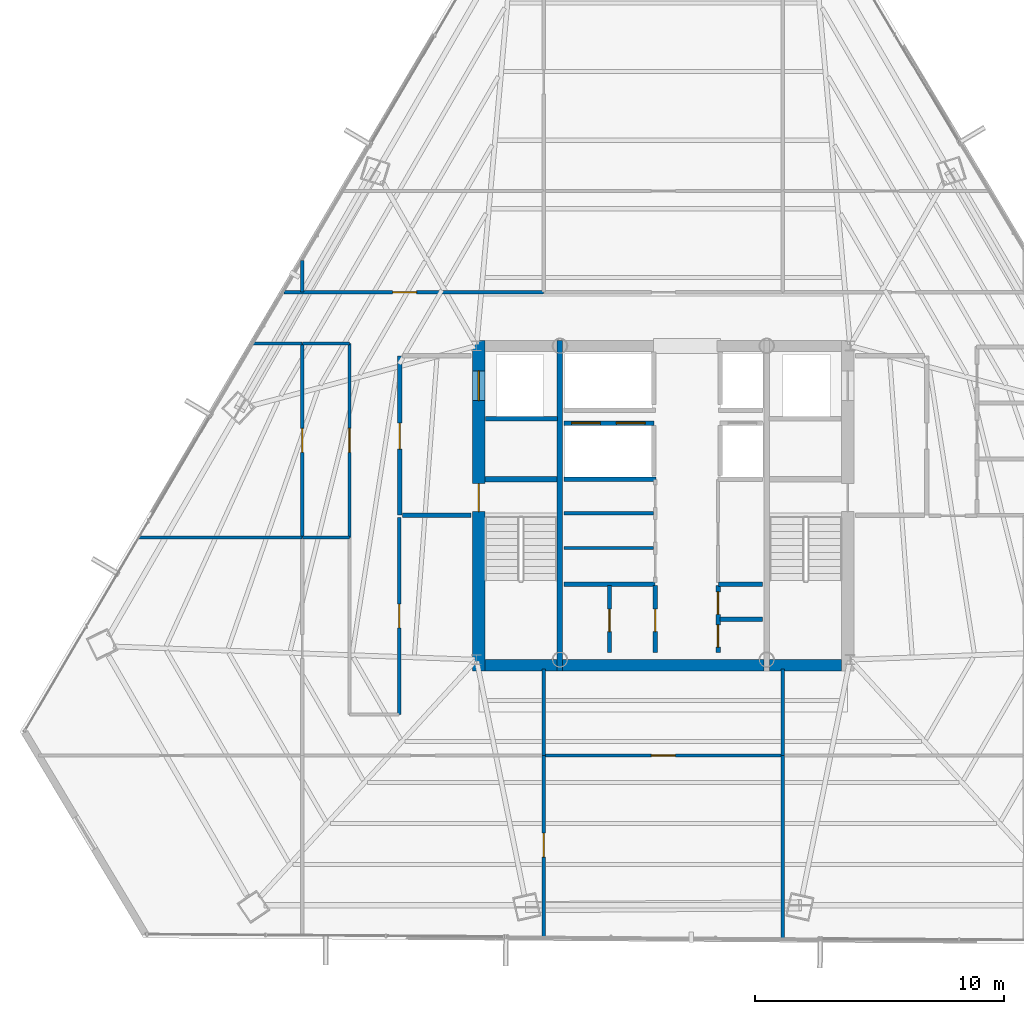
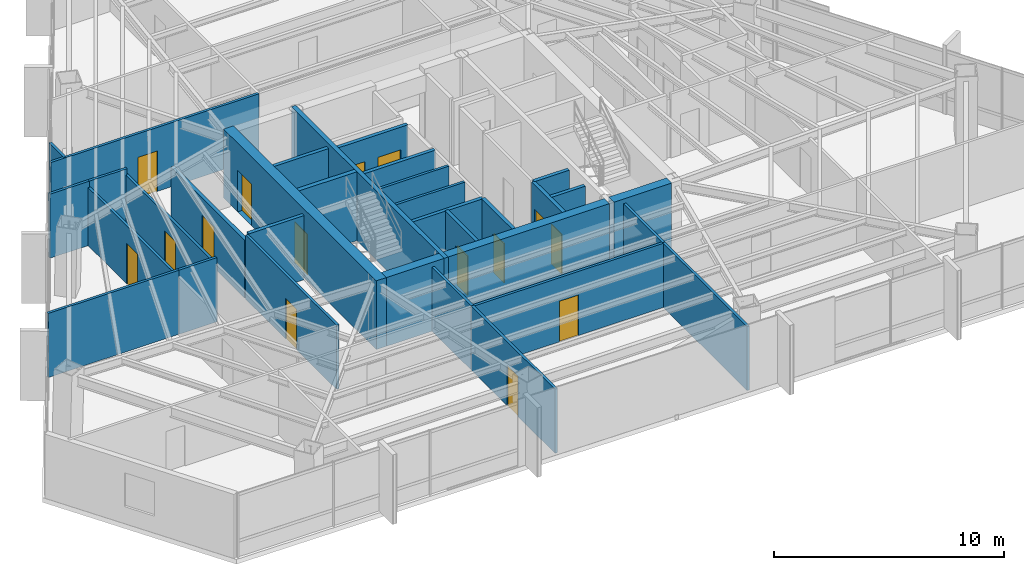
# One storey, part 36 of 41: 33 walls, 15 doors, 15 openings.
"""IFC4 building model written with IfcOpenShell, lengths in metres."""

from ifc_helpers import new_model, si_unit, direction, frame, frame_2d, origin, place, context, subcontext, project, spatial, rectangle, extrude, material, layer, layer_set, type_object, element, fill, save


model = new_model("IFC4")

# Units and contexts
model_context = context("Model", 3, precision=1e-05, world=origin(), true_north=direction((0.0, 1.0)))
body_context = subcontext(model_context, "Body", "Model", "MODEL_VIEW")
ifc_project = project(units=[si_unit("LENGTHUNIT", "METRE"), si_unit("AREAUNIT", "SQUARE_METRE"), si_unit("VOLUMEUNIT", "CUBIC_METRE"), si_unit("PLANEANGLEUNIT", "RADIAN"), si_unit("MASSUNIT", "GRAM", prefix="KILO")], contexts=[model_context])

# Site, building, storey
site_placement = place(None, origin())
site = spatial("IfcSite", under=ifc_project, at=site_placement, CompositionType="ELEMENT")
building_placement = place(site_placement, origin())
building = spatial("IfcBuilding", under=site, at=building_placement, Name="Caelisora Broadcast Tower", CompositionType="ELEMENT")
storey_placement = place(building_placement, frame((0.0, 0.0, 162.14990234375)))
storey = spatial("IfcBuildingStorey", under=building, at=storey_placement, Name="L42", CompositionType="ELEMENT", Elevation=162.14990234375)

# Wall, openings, doors
ifc_material_1 = material(Name="Concrete 50 MPa (AS 3600 S50)", Category="concrete")
ifc_layer_1 = layer(ifc_material_1, 0.5, Name="Concrete 50 MPa (AS 3600 S50)")
ifc_layer_set_1 = layer_set([ifc_layer_1], Name="Concrete 50 MPa (AS 3600 S50)")
wall_type_1 = type_object("IfcWallType", Name="CW2", PredefinedType="SHEAR", material=ifc_layer_set_1)
wall_1_placement = place(storey_placement, frame((30.590087890625, 16.949951171875, 0.0), z_axis=(0.0, 0.0, 1.0), x_axis=(0.0, 1.0, 0.0)))
wall_1 = element("IfcWall", 1, at=wall_1_placement, inside=storey, type_object=wall_type_1, Name="L42 core shear wall CW2", PredefinedType="SHEAR", context=body_context, shape_type="SweptSolid", body=[
    extrude(rectangle(XDim=13.275146484375, YDim=0.5, at=frame_2d((6.6376953125, 0.0))), origin(), (0.0, 0.0, 1.0), 3.650146484375),
])
opening_1_placement = place(wall_1_placement, frame((6.39990234375, 0.0, 0.0)))
opening_1 = element("IfcOpeningElement", 2, at=opening_1_placement, cuts=wall_1, Name="Opening FD04", PredefinedType="OPENING", context=body_context, shape_type="SweptSolid", body=[
    extrude(rectangle(XDim=1.1201171875, YDim=2.14990234375, at=frame_2d((0.56005859375, 1.074951171875))), frame((0.0, 0.261962890625, 0.0), z_axis=(0.0, -1.0, 0.0), x_axis=(1.0, 0.0, 0.0)), (0.0, 0.0, 1.0), 0.52392578125),
])
opening_2_placement = place(wall_1_placement, frame((10.85009765625, 0.0, 0.0)))
opening_2 = element("IfcOpeningElement", 3, at=opening_2_placement, cuts=wall_1, Name="Opening LD04", PredefinedType="OPENING", context=body_context, shape_type="SweptSolid", body=[
    extrude(rectangle(XDim=1.199951171875, YDim=2.199951171875, at=frame_2d((0.60009765625, 1.10009765625))), frame((0.0, 0.261962890625, 0.0), z_axis=(0.0, -1.0, 0.0), x_axis=(1.0, 0.0, 0.0)), (0.0, 0.0, 1.0), 0.52392578125),
])
ifc_material_2 = material(Name="Pressurised Fire-Isolated Stair Door", Category="steel")
door_type_1 = type_object("IfcDoorType", Name="FD04", OperationType="NOTDEFINED", PredefinedType="DOOR", material=ifc_material_2)
door_1_placement = place(opening_1_placement, origin())
door_1 = element("IfcDoor", 4, at=door_1_placement, inside=storey, type_object=door_type_1, Name="L42 door FD04 (L42-DR-ST1)", OperationType="SINGLE_SWING_LEFT", OverallHeight=2.14990234375, OverallWidth=1.1201171875, PredefinedType="DOOR", context=body_context, shape_type="SweptSolid", body=[
    extrude(rectangle(XDim=1.1201171875, YDim=2.14990234375, at=frame_2d((0.56005859375, 1.074951171875))), frame((0.0, 0.02490234375, 0.0), z_axis=(0.0, -1.0, 0.0), x_axis=(1.0, 0.0, 0.0)), (0.0, 0.0, 1.0), 0.050048828125),
])
fill(opening_1, door_1)
ifc_material_3 = material(Name="Emergency Firefighting Lift Sliding Landing Door", Category="steel")
door_type_2 = type_object("IfcDoorType", Name="LD04", OperationType="NOTDEFINED", PredefinedType="DOOR", material=ifc_material_3)
door_2_placement = place(opening_2_placement, origin())
door_2 = element("IfcDoor", 5, at=door_2_placement, inside=storey, type_object=door_type_2, Name="L42 door LD04 (L42-LD-FFL1)", OperationType="SLIDING_TO_LEFT", OverallHeight=2.199951171875, OverallWidth=1.199951171875, PredefinedType="DOOR", context=body_context, shape_type="SweptSolid", body=[
    extrude(rectangle(XDim=1.199951171875, YDim=2.199951171875, at=frame_2d((0.60009765625, 1.10009765625))), frame((0.0, 0.02490234375, 0.0), z_axis=(0.0, -1.0, 0.0), x_axis=(1.0, 0.0, 0.0)), (0.0, 0.0, 1.0), 0.050048828125),
])
fill(opening_2, door_2)

# Walls
ifc_layer_2 = layer(ifc_material_1, 0.449951171875, Name="Concrete 50 MPa (AS 3600 S50)")
ifc_layer_set_2 = layer_set([ifc_layer_2], Name="Concrete 50 MPa (AS 3600 S50)")
wall_type_2 = type_object("IfcWallType", Name="CW5", PredefinedType="SHEAR", material=ifc_layer_set_2)
wall_2_placement = place(storey_placement, frame((30.840087890625, 17.175048828125, 0.0), z_axis=(0.0, 0.0, 1.0), x_axis=(1.0, 0.0, 0.0)))
element("IfcWall", 6, at=wall_2_placement, inside=storey, type_object=wall_type_2, Name="L42 core shear wall CW5", PredefinedType="SHEAR", context=body_context, shape_type="SweptSolid", body=[
    extrude(rectangle(XDim=2.89990234375, YDim=0.449951171875, at=frame_2d((1.449951171875, 0.0))), origin(), (0.0, 0.0, 1.0), 3.650146484375),
])
wall_3_placement = place(storey_placement, frame((33.9599609375, 17.175048828125, 0.0), z_axis=(0.0, 0.0, 1.0), x_axis=(1.0, 0.0, 0.0)))
element("IfcWall", 7, at=wall_3_placement, inside=storey, type_object=wall_type_2, Name="L42 core shear wall CW5", PredefinedType="SHEAR", context=body_context, shape_type="SweptSolid", body=[
    extrude(rectangle(XDim=8.080078125, YDim=0.449951171875, at=frame_2d((4.0400390625, 0.0))), origin(), (0.0, 0.0, 1.0), 3.650146484375),
])
wall_4_placement = place(storey_placement, frame((42.260009765625, 17.175048828125, 0.0), z_axis=(0.0, 0.0, 1.0), x_axis=(1.0, 0.0, 0.0)))
element("IfcWall", 8, at=wall_4_placement, inside=storey, type_object=wall_type_2, Name="L42 core shear wall CW5", PredefinedType="SHEAR", context=body_context, shape_type="SweptSolid", body=[
    extrude(rectangle(XDim=2.89990234375, YDim=0.449951171875, at=frame_2d((1.449951171875, 0.0))), origin(), (0.0, 0.0, 1.0), 3.650146484375),
])
ifc_layer_3 = layer(ifc_material_1, 0.219970703125, Name="Concrete 50 MPa (AS 3600 S50)")
ifc_layer_set_3 = layer_set([ifc_layer_3], Name="Concrete 50 MPa (AS 3600 S50)")
wall_type_3 = type_object("IfcWallType", Name="CW7", PredefinedType="SHEAR", material=ifc_layer_set_3)
wall_5_placement = place(storey_placement, frame((33.85009765625, 16.949951171875, 0.0), z_axis=(0.0, 0.0, 1.0), x_axis=(0.0, 1.0, 0.0)))
element("IfcWall", 9, at=wall_5_placement, inside=storey, type_object=wall_type_3, Name="L42 core shear wall CW7", PredefinedType="SHEAR", context=body_context, shape_type="SweptSolid", body=[
    extrude(rectangle(XDim=13.275146484375, YDim=0.219970703125, at=frame_2d((6.6376953125, 0.0))), origin(), (0.0, 0.0, 1.0), 3.650146484375),
])
wall_6_placement = place(storey_placement, frame((30.840087890625, 24.639892578125, 0.0), z_axis=(0.0, 0.0, 1.0), x_axis=(1.0, 0.0, 0.0)))
element("IfcWall", 10, at=wall_6_placement, inside=storey, type_object=wall_type_3, Name="L42 core shear wall CW7", PredefinedType="SHEAR", context=body_context, shape_type="SweptSolid", body=[
    extrude(rectangle(XDim=2.89990234375, YDim=0.219970703125, at=frame_2d((1.449951171875, 0.0))), origin(), (0.0, 0.0, 1.0), 3.650146484375),
])

# Wall, openings, doors
ifc_material_4 = material(Name="Fire-Rated Gypsum Shaft and Compartment Wall", Category="gypsum")
ifc_layer_4 = layer(ifc_material_4, 0.179931640625, Name="Fire-Rated Gypsum Shaft and Compartment Wall")
ifc_layer_set_4 = layer_set([ifc_layer_4], Name="Fire-Rated Gypsum Shaft and Compartment Wall")
wall_type_4 = type_object("IfcWallType", Name="PW2", PredefinedType="PARTITIONING", material=ifc_layer_set_4)
wall_7_placement = place(storey_placement, frame((34.02001953125, 26.89990234375, 0.0), z_axis=(0.0, 0.0, 1.0), x_axis=(1.0, 0.0, 0.0)))
wall_7 = element("IfcWall", 11, at=wall_7_placement, inside=storey, type_object=wall_type_4, Name="L42 fire compartment wall PW2", PredefinedType="PARTITIONING", context=body_context, shape_type="SweptSolid", body=[
    extrude(rectangle(XDim=3.60009765625, YDim=0.179931640625, at=frame_2d((1.800048828125, 0.0))), origin(), (0.0, 0.0, 1.0), 3.400146484375),
])
opening_3_placement = place(wall_7_placement, frame((0.300048828125, 0.0, 0.0)))
opening_3 = element("IfcOpeningElement", 12, at=opening_3_placement, cuts=wall_7, Name="Opening LD02", PredefinedType="OPENING", context=body_context, shape_type="SweptSolid", body=[
    extrude(rectangle(XDim=1.14990234375, YDim=2.199951171875, at=frame_2d((0.574951171875, 1.10009765625))), frame((0.0, 0.10205078125, 0.0), z_axis=(0.0, -1.0, 0.0), x_axis=(1.0, 0.0, 0.0)), (0.0, 0.0, 1.0), 0.203857421875),
])
opening_4_placement = place(wall_7_placement, frame((2.10009765625, 0.0, 0.0)))
opening_4 = element("IfcOpeningElement", 13, at=opening_4_placement, cuts=wall_7, Name="Opening LD02", PredefinedType="OPENING", context=body_context, shape_type="SweptSolid", body=[
    extrude(rectangle(XDim=1.14990234375, YDim=2.199951171875, at=frame_2d((0.574951171875, 1.10009765625))), frame((0.0, 0.10205078125, 0.0), z_axis=(0.0, -1.0, 0.0), x_axis=(1.0, 0.0, 0.0)), (0.0, 0.0, 1.0), 0.203857421875),
])
ifc_material_5 = material(Name="High-Speed Express Lift Sliding Landing Door", Category="steel")
door_type_3 = type_object("IfcDoorType", Name="LD02", OperationType="NOTDEFINED", PredefinedType="DOOR", material=ifc_material_5)
door_3_placement = place(opening_3_placement, origin())
door_3 = element("IfcDoor", 14, at=door_3_placement, inside=storey, type_object=door_type_3, Name="L42 door LD02 (L42-LD-PLM1)", OperationType="SLIDING_TO_LEFT", OverallHeight=2.199951171875, OverallWidth=1.14990234375, PredefinedType="DOOR", context=body_context, shape_type="SweptSolid", body=[
    extrude(rectangle(XDim=1.14990234375, YDim=2.199951171875, at=frame_2d((0.574951171875, 1.10009765625))), frame((0.0, 0.02490234375, 0.0), z_axis=(0.0, -1.0, 0.0), x_axis=(1.0, 0.0, 0.0)), (0.0, 0.0, 1.0), 0.050048828125),
])
fill(opening_3, door_3)
door_4_placement = place(opening_4_placement, origin())
door_4 = element("IfcDoor", 15, at=door_4_placement, inside=storey, type_object=door_type_3, Name="L42 door LD02 (L42-LD-PLM2)", OperationType="SLIDING_TO_RIGHT", OverallHeight=2.199951171875, OverallWidth=1.14990234375, PredefinedType="DOOR", context=body_context, shape_type="SweptSolid", body=[
    extrude(rectangle(XDim=1.14990234375, YDim=2.199951171875, at=frame_2d((0.574951171875, 1.10009765625))), frame((0.0, 0.02490234375, 0.0), z_axis=(0.0, -1.0, 0.0), x_axis=(1.0, 0.0, 0.0)), (0.0, 0.0, 1.0), 0.050048828125),
])
fill(opening_4, door_4)

# Wall
wall_8_placement = place(storey_placement, frame((34.02001953125, 24.639892578125, 0.0), z_axis=(0.0, 0.0, 1.0), x_axis=(1.0, 0.0, 0.0)))
element("IfcWall", 16, at=wall_8_placement, inside=storey, type_object=wall_type_4, Name="L42 fire compartment wall PW2", PredefinedType="PARTITIONING", context=body_context, shape_type="SweptSolid", body=[
    extrude(rectangle(XDim=3.679931640625, YDim=0.179931640625, at=frame_2d((1.83984375, 0.0))), origin(), (0.0, 0.0, 1.0), 3.400146484375),
])

# Wall, opening, door
wall_9_placement = place(storey_placement, frame((27.419921875, 23.199951171875, 0.0), z_axis=(0.0, 0.0, 1.0), x_axis=(0.0, 1.0, 0.0)))
wall_9 = element("IfcWall", 17, at=wall_9_placement, inside=storey, type_object=wall_type_4, Name="L42 fire compartment wall PW2", PredefinedType="PARTITIONING", context=body_context, shape_type="SweptSolid", body=[
    extrude(rectangle(XDim=6.400146484375, YDim=0.179931640625, at=frame_2d((3.2001953125, 0.0))), origin(), (0.0, 0.0, 1.0), 3.077880859375),
])
opening_5_placement = place(wall_9_placement, frame((2.64990234375, 0.0, 0.0)))
opening_5 = element("IfcOpeningElement", 18, at=opening_5_placement, cuts=wall_9, Name="Opening FD02", PredefinedType="OPENING", context=body_context, shape_type="SweptSolid", body=[
    extrude(rectangle(XDim=1.050048828125, YDim=2.14990234375, at=frame_2d((0.52490234375, 1.074951171875))), frame((0.0, 0.10205078125, 0.0), z_axis=(0.0, -1.0, 0.0), x_axis=(1.0, 0.0, 0.0)), (0.0, 0.0, 1.0), 0.203857421875),
])
ifc_material_6 = material(Name="Single-Leaf Steel Fire Lobby Door", Category="steel")
door_type_4 = type_object("IfcDoorType", Name="FD02", OperationType="NOTDEFINED", PredefinedType="DOOR", material=ifc_material_6)
door_5_placement = place(opening_5_placement, origin())
door_5 = element("IfcDoor", 19, at=door_5_placement, inside=storey, type_object=door_type_4, Name="L42 door FD02 (L42-DR-P01D1)", OperationType="SINGLE_SWING_RIGHT", OverallHeight=2.14990234375, OverallWidth=1.050048828125, PredefinedType="DOOR", context=body_context, shape_type="SweptSolid", body=[
    extrude(rectangle(XDim=1.050048828125, YDim=2.14990234375, at=frame_2d((0.52490234375, 1.074951171875))), frame((0.0, 0.02490234375, 0.0), z_axis=(0.0, -1.0, 0.0), x_axis=(1.0, 0.0, 0.0)), (0.0, 0.0, 1.0), 0.050048828125),
])
fill(opening_5, door_5)

# Walls
wall_10_placement = place(storey_placement, frame((27.52001953125, 23.199951171875, 0.0), z_axis=(0.0, 0.0, 1.0), x_axis=(1.0, 0.0, 0.0)))
element("IfcWall", 20, at=wall_10_placement, inside=storey, type_object=wall_type_4, Name="L42 fire compartment wall PW2", PredefinedType="PARTITIONING", context=body_context, shape_type="SweptSolid", body=[
    extrude(rectangle(XDim=2.760009765625, YDim=0.179931640625, at=frame_2d((1.3798828125, 0.0))), origin(), (0.0, 0.0, 1.0), 3.400146484375),
])
wall_11_placement = place(storey_placement, frame((30.860107421875, 27.070068359375, 0.0), z_axis=(0.0, 0.0, 1.0), x_axis=(1.0, 0.0, 0.0)))
element("IfcWall", 21, at=wall_11_placement, inside=storey, type_object=wall_type_4, Name="L42 fire compartment wall PW2", PredefinedType="PARTITIONING", context=body_context, shape_type="SweptSolid", body=[
    extrude(rectangle(XDim=2.89990234375, YDim=0.179931640625, at=frame_2d((1.449951171875, 0.0))), origin(), (0.0, 0.0, 1.0), 3.400146484375),
])
wall_12_placement = place(storey_placement, frame((34.02001953125, 20.419921875, 0.0), z_axis=(0.0, 0.0, 1.0), x_axis=(1.0, 0.0, 0.0)))
element("IfcWall", 22, at=wall_12_placement, inside=storey, type_object=wall_type_4, Name="L42 fire compartment wall PW2", PredefinedType="PARTITIONING", context=body_context, shape_type="SweptSolid", body=[
    extrude(rectangle(XDim=3.639892578125, YDim=0.179931640625, at=frame_2d((1.81982421875, 0.0))), origin(), (0.0, 0.0, 1.0), 3.400146484375),
])
wall_13_placement = place(storey_placement, frame((40.219970703125, 20.419921875, 0.0), z_axis=(0.0, 0.0, 1.0), x_axis=(1.0, 0.0, 0.0)))
element("IfcWall", 23, at=wall_13_placement, inside=storey, type_object=wall_type_4, Name="L42 fire compartment wall PW2", PredefinedType="PARTITIONING", context=body_context, shape_type="SweptSolid", body=[
    extrude(rectangle(XDim=1.760009765625, YDim=0.179931640625, at=frame_2d((0.8798828125, 0.0))), origin(), (0.0, 0.0, 1.0), 3.400146484375),
])

# Wall, opening, door
wall_14_placement = place(storey_placement, frame((35.840087890625, 17.679931640625, 0.0), z_axis=(0.0, 0.0, 1.0), x_axis=(0.0, 1.0, 0.0)))
wall_14 = element("IfcWall", 24, at=wall_14_placement, inside=storey, type_object=wall_type_4, Name="L42 fire compartment wall PW2", PredefinedType="PARTITIONING", context=body_context, shape_type="SweptSolid", body=[
    extrude(rectangle(XDim=2.699951171875, YDim=0.179931640625, at=frame_2d((1.35009765625, 0.0))), origin(), (0.0, 0.0, 1.0), 3.400146484375),
])
opening_6_placement = place(wall_14_placement, frame((0.85009765625, 0.0, 0.0)))
opening_6 = element("IfcOpeningElement", 25, at=opening_6_placement, cuts=wall_14, Name="Opening FD03", PredefinedType="OPENING", context=body_context, shape_type="SweptSolid", body=[
    extrude(rectangle(XDim=0.89990234375, YDim=2.10009765625, at=frame_2d((0.449951171875, 1.050048828125))), frame((0.0, 0.10205078125, 0.0), z_axis=(0.0, -1.0, 0.0), x_axis=(1.0, 0.0, 0.0)), (0.0, 0.0, 1.0), 0.203857421875),
])
ifc_material_7 = material(Name="Single-Leaf Steel Riser Fire Access Door", Category="steel")
door_type_5 = type_object("IfcDoorType", Name="FD03", OperationType="NOTDEFINED", PredefinedType="DOOR", material=ifc_material_7)
door_6_placement = place(opening_6_placement, origin())
door_6 = element("IfcDoor", 26, at=door_6_placement, inside=storey, type_object=door_type_5, Name="L42 door FD03 (L42-DR-P15D1)", OperationType="SINGLE_SWING_RIGHT", OverallHeight=2.10009765625, OverallWidth=0.89990234375, PredefinedType="DOOR", context=body_context, shape_type="SweptSolid", body=[
    extrude(rectangle(XDim=0.89990234375, YDim=2.10009765625, at=frame_2d((0.449951171875, 1.050048828125))), frame((0.0, 0.02490234375, 0.0), z_axis=(0.0, -1.0, 0.0), x_axis=(1.0, 0.0, 0.0)), (0.0, 0.0, 1.0), 0.050048828125),
])
fill(opening_6, door_6)

wall_15_placement = place(storey_placement, frame((37.679931640625, 17.679931640625, 0.0), z_axis=(0.0, 0.0, 1.0), x_axis=(0.0, 1.0, 0.0)))
wall_15 = element("IfcWall", 27, at=wall_15_placement, inside=storey, type_object=wall_type_4, Name="L42 fire compartment wall PW2", PredefinedType="PARTITIONING", context=body_context, shape_type="SweptSolid", body=[
    extrude(rectangle(XDim=2.699951171875, YDim=0.179931640625, at=frame_2d((1.35009765625, 0.0))), origin(), (0.0, 0.0, 1.0), 3.400146484375),
])
opening_7_placement = place(wall_15_placement, frame((0.85009765625, 0.0, 0.0)))
opening_7 = element("IfcOpeningElement", 28, at=opening_7_placement, cuts=wall_15, Name="Opening FD03", PredefinedType="OPENING", context=body_context, shape_type="SweptSolid", body=[
    extrude(rectangle(XDim=0.89990234375, YDim=2.10009765625, at=frame_2d((0.449951171875, 1.050048828125))), frame((0.0, 0.10205078125, 0.0), z_axis=(0.0, -1.0, 0.0), x_axis=(1.0, 0.0, 0.0)), (0.0, 0.0, 1.0), 0.203857421875),
])
door_7_placement = place(opening_7_placement, origin())
door_7 = element("IfcDoor", 29, at=door_7_placement, inside=storey, type_object=door_type_5, Name="L42 door FD03 (L42-DR-P16D1)", OperationType="SINGLE_SWING_LEFT", OverallHeight=2.10009765625, OverallWidth=0.89990234375, PredefinedType="DOOR", context=body_context, shape_type="SweptSolid", body=[
    extrude(rectangle(XDim=0.89990234375, YDim=2.10009765625, at=frame_2d((0.449951171875, 1.050048828125))), frame((0.0, 0.02490234375, 0.0), z_axis=(0.0, -1.0, 0.0), x_axis=(1.0, 0.0, 0.0)), (0.0, 0.0, 1.0), 0.050048828125),
])
fill(opening_7, door_7)

# Wall
wall_16_placement = place(storey_placement, frame((40.280029296875, 19.02001953125, 0.0), z_axis=(0.0, 0.0, 1.0), x_axis=(1.0, 0.0, 0.0)))
element("IfcWall", 30, at=wall_16_placement, inside=storey, type_object=wall_type_4, Name="L42 fire compartment wall PW2", PredefinedType="PARTITIONING", context=body_context, shape_type="SweptSolid", body=[
    extrude(rectangle(XDim=1.699951171875, YDim=0.179931640625, at=frame_2d((0.85009765625, 0.0))), origin(), (0.0, 0.0, 1.0), 3.400146484375),
])

# Wall, openings, doors
wall_17_placement = place(storey_placement, frame((40.199951171875, 17.679931640625, 0.0), z_axis=(0.0, 0.0, 1.0), x_axis=(0.0, 1.0, 0.0)))
wall_17 = element("IfcWall", 31, at=wall_17_placement, inside=storey, type_object=wall_type_4, Name="L42 fire compartment wall PW2", PredefinedType="PARTITIONING", context=body_context, shape_type="SweptSolid", body=[
    extrude(rectangle(XDim=2.699951171875, YDim=0.179931640625, at=frame_2d((1.35009765625, 0.0))), origin(), (0.0, 0.0, 1.0), 3.400146484375),
])
opening_8_placement = place(wall_17_placement, frame((0.219970703125, 0.0, 0.0)))
opening_8 = element("IfcOpeningElement", 32, at=opening_8_placement, cuts=wall_17, Name="Opening FD03", PredefinedType="OPENING", context=body_context, shape_type="SweptSolid", body=[
    extrude(rectangle(XDim=0.89990234375, YDim=2.10009765625, at=frame_2d((0.449951171875, 1.050048828125))), frame((0.0, 0.10205078125, 0.0), z_axis=(0.0, -1.0, 0.0), x_axis=(1.0, 0.0, 0.0)), (0.0, 0.0, 1.0), 0.203857421875),
])
opening_9_placement = place(wall_17_placement, frame((1.5400390625, 0.0, 0.0)))
opening_9 = element("IfcOpeningElement", 33, at=opening_9_placement, cuts=wall_17, Name="Opening FD03", PredefinedType="OPENING", context=body_context, shape_type="SweptSolid", body=[
    extrude(rectangle(XDim=0.89990234375, YDim=2.10009765625, at=frame_2d((0.449951171875, 1.050048828125))), frame((0.0, 0.10205078125, 0.0), z_axis=(0.0, -1.0, 0.0), x_axis=(1.0, 0.0, 0.0)), (0.0, 0.0, 1.0), 0.203857421875),
])
door_8_placement = place(opening_8_placement, origin())
door_8 = element("IfcDoor", 34, at=door_8_placement, inside=storey, type_object=door_type_5, Name="L42 door FD03 (L42-DR-P18D1)", OperationType="SINGLE_SWING_RIGHT", OverallHeight=2.10009765625, OverallWidth=0.89990234375, PredefinedType="DOOR", context=body_context, shape_type="SweptSolid", body=[
    extrude(rectangle(XDim=0.89990234375, YDim=2.10009765625, at=frame_2d((0.449951171875, 1.050048828125))), frame((0.0, 0.02490234375, 0.0), z_axis=(0.0, -1.0, 0.0), x_axis=(1.0, 0.0, 0.0)), (0.0, 0.0, 1.0), 0.050048828125),
])
fill(opening_8, door_8)
door_9_placement = place(opening_9_placement, origin())
door_9 = element("IfcDoor", 35, at=door_9_placement, inside=storey, type_object=door_type_5, Name="L42 door FD03 (L42-DR-P18D2)", OperationType="SINGLE_SWING_LEFT", OverallHeight=2.10009765625, OverallWidth=0.89990234375, PredefinedType="DOOR", context=body_context, shape_type="SweptSolid", body=[
    extrude(rectangle(XDim=0.89990234375, YDim=2.10009765625, at=frame_2d((0.449951171875, 1.050048828125))), frame((0.0, 0.02490234375, 0.0), z_axis=(0.0, -1.0, 0.0), x_axis=(1.0, 0.0, 0.0)), (0.0, 0.0, 1.0), 0.050048828125),
])
fill(opening_9, door_9)

# Walls
ifc_material_8 = material(Name="Acoustic Steel-Stud Plasterboard Partition", Category="gypsum")
ifc_layer_5 = layer(ifc_material_8, 0.1298828125, Name="Acoustic Steel-Stud Plasterboard Partition")
ifc_layer_set_5 = layer_set([ifc_layer_5], Name="Acoustic Steel-Stud Plasterboard Partition")
wall_type_5 = type_object("IfcWallType", Name="PW3", PredefinedType="PARTITIONING", material=ifc_layer_set_5)
for number, where, z_axis, x_axis, name in (
    (36, (34.02001953125, 21.8798828125, 0.0), (0.0, 0.0, 1.0), (1.0, 0.0, 0.0), "L42 internal partition PW3"),
    (37, (34.02001953125, 23.280029296875, 0.0), (0.0, 0.0, 1.0), (1.0, 0.0, 0.0), "L42 internal partition PW3"),
):
    element("IfcWall", number, at=place(storey_placement, frame(where, z_axis=z_axis, x_axis=x_axis)), inside=storey, type_object=wall_type_5, Name=name, PredefinedType="PARTITIONING", context=body_context, shape_type="SweptSolid", body=[
        extrude(rectangle(XDim=3.580078125, YDim=0.1298828125, at=frame_2d((1.7900390625, 0.0))), origin(), (0.0, 0.0, 1.0), 3.400146484375),
    ])

# Wall, opening, door
wall_18_placement = place(storey_placement, frame((22.767578125, 32.14990234375, 0.0), z_axis=(0.0, 0.0, 1.0), x_axis=(1.0, 0.0, 0.0)))
wall_18 = element("IfcWall", 38, at=wall_18_placement, inside=storey, type_object=wall_type_5, Name="L42 internal partition PW3", PredefinedType="PARTITIONING", context=body_context, shape_type="SweptSolid", body=[
    extrude(rectangle(XDim=10.427490234375, YDim=0.1298828125, at=frame_2d((5.2138671875, 0.0))), origin(), (0.0, 0.0, 1.0), 3.400146484375),
])
opening_10_placement = place(wall_18_placement, frame((4.364990234375, 0.0, 0.0)))
opening_10 = element("IfcOpeningElement", 39, at=opening_10_placement, cuts=wall_18, Name="Opening D01", PredefinedType="OPENING", context=body_context, shape_type="SweptSolid", body=[
    extrude(rectangle(XDim=0.9599609375, YDim=2.14990234375, at=frame_2d((0.47998046875, 1.074951171875))), frame((0.0, 0.076904296875, 0.0), z_axis=(0.0, -1.0, 0.0), x_axis=(1.0, 0.0, 0.0)), (0.0, 0.0, 1.0), 0.15380859375),
])
ifc_material_9 = material(Name="Solid-Core Timber Acoustic Office Door", Category="wood")
door_type_6 = type_object("IfcDoorType", Name="D01", OperationType="NOTDEFINED", PredefinedType="DOOR", material=ifc_material_9)
door_10_placement = place(opening_10_placement, origin())
door_10 = element("IfcDoor", 40, at=door_10_placement, inside=storey, type_object=door_type_6, Name="L42 door D01 (L42-DR-P34D1)", OperationType="SINGLE_SWING_RIGHT", OverallHeight=2.14990234375, OverallWidth=0.9599609375, PredefinedType="DOOR", context=body_context, shape_type="SweptSolid", body=[
    extrude(rectangle(XDim=0.9599609375, YDim=2.14990234375, at=frame_2d((0.47998046875, 1.074951171875))), frame((0.0, 0.02490234375, 0.0), z_axis=(0.0, -1.0, 0.0), x_axis=(1.0, 0.0, 0.0)), (0.0, 0.0, 1.0), 0.050048828125),
])
fill(opening_10, door_10)

wall_19_placement = place(storey_placement, frame((33.205078125, 13.550048828125, 0.0), z_axis=(0.0, 0.0, 1.0), x_axis=(1.0, 0.0, 0.0)))
wall_19 = element("IfcWall", 41, at=wall_19_placement, inside=storey, type_object=wall_type_5, Name="L42 internal partition PW3", PredefinedType="PARTITIONING", context=body_context, shape_type="SweptSolid", body=[
    extrude(rectangle(XDim=9.58984375, YDim=0.1298828125, at=frame_2d((4.794921875, 0.0))), origin(), (0.0, 0.0, 1.0), 3.400146484375),
])
opening_11_placement = place(wall_19_placement, frame((4.31494140625, 0.0, 0.0)))
opening_11 = element("IfcOpeningElement", 42, at=opening_11_placement, cuts=wall_19, Name="Opening D01", PredefinedType="OPENING", context=body_context, shape_type="SweptSolid", body=[
    extrude(rectangle(XDim=0.9599609375, YDim=2.14990234375, at=frame_2d((0.47998046875, 1.074951171875))), frame((0.0, 0.076904296875, 0.0), z_axis=(0.0, -1.0, 0.0), x_axis=(1.0, 0.0, 0.0)), (0.0, 0.0, 1.0), 0.15380859375),
])
door_11_placement = place(opening_11_placement, origin())
door_11 = element("IfcDoor", 43, at=door_11_placement, inside=storey, type_object=door_type_6, Name="L42 door D01 (L42-DR-P39D1)", OperationType="SINGLE_SWING_LEFT", OverallHeight=2.14990234375, OverallWidth=0.9599609375, PredefinedType="DOOR", context=body_context, shape_type="SweptSolid", body=[
    extrude(rectangle(XDim=0.9599609375, YDim=2.14990234375, at=frame_2d((0.47998046875, 1.074951171875))), frame((0.0, 0.02490234375, 0.0), z_axis=(0.0, -1.0, 0.0), x_axis=(1.0, 0.0, 0.0)), (0.0, 0.0, 1.0), 0.050048828125),
])
fill(opening_11, door_11)

wall_20_placement = place(storey_placement, frame((27.39990234375, 15.205078125, 0.0), z_axis=(0.0, 0.0, 1.0), x_axis=(0.0, 1.0, 0.0)))
wall_20 = element("IfcWall", 44, at=wall_20_placement, inside=storey, type_object=wall_type_5, Name="L42 internal partition PW3", PredefinedType="PARTITIONING", context=body_context, shape_type="SweptSolid", body=[
    extrude(rectangle(XDim=7.89990234375, YDim=0.1298828125, at=frame_2d((3.949951171875, 0.0))), origin(), (0.0, 0.0, 1.0), 3.400146484375),
])
opening_12_placement = place(wall_20_placement, frame((3.469970703125, 0.0, 0.0)))
opening_12 = element("IfcOpeningElement", 45, at=opening_12_placement, cuts=wall_20, Name="Opening D01", PredefinedType="OPENING", context=body_context, shape_type="SweptSolid", body=[
    extrude(rectangle(XDim=0.9599609375, YDim=2.14990234375, at=frame_2d((0.47998046875, 1.074951171875))), frame((0.0, 0.076904296875, 0.0), z_axis=(0.0, -1.0, 0.0), x_axis=(1.0, 0.0, 0.0)), (0.0, 0.0, 1.0), 0.15380859375),
])
door_12_placement = place(opening_12_placement, origin())
door_12 = element("IfcDoor", 46, at=door_12_placement, inside=storey, type_object=door_type_6, Name="L42 door D01 (L42-DR-P49D1)", OperationType="SINGLE_SWING_RIGHT", OverallHeight=2.14990234375, OverallWidth=0.9599609375, PredefinedType="DOOR", context=body_context, shape_type="SweptSolid", body=[
    extrude(rectangle(XDim=0.9599609375, YDim=2.14990234375, at=frame_2d((0.47998046875, 1.074951171875))), frame((0.0, 0.02490234375, 0.0), z_axis=(0.0, -1.0, 0.0), x_axis=(1.0, 0.0, 0.0)), (0.0, 0.0, 1.0), 0.050048828125),
])
fill(opening_12, door_12)

wall_21_placement = place(storey_placement, frame((25.39990234375, 30.094970703125, 0.0), z_axis=(0.0, 0.0, 1.0), x_axis=(0.0, -1.0, 0.0)))
wall_21 = element("IfcWall", 47, at=wall_21_placement, inside=storey, type_object=wall_type_5, Name="L42 internal partition PW3", PredefinedType="PARTITIONING", context=body_context, shape_type="SweptSolid", body=[
    extrude(rectangle(XDim=7.780029296875, YDim=0.1298828125, at=frame_2d((3.89013671875, 0.0))), origin(), (0.0, 0.0, 1.0), 3.077880859375),
])
opening_13_placement = place(wall_21_placement, frame((3.409912109375, 0.0, 0.0)))
opening_13 = element("IfcOpeningElement", 48, at=opening_13_placement, cuts=wall_21, Name="Opening D01", PredefinedType="OPENING", context=body_context, shape_type="SweptSolid", body=[
    extrude(rectangle(XDim=0.9599609375, YDim=2.14990234375, at=frame_2d((0.47998046875, 1.074951171875))), frame((0.0, 0.076904296875, 0.0), z_axis=(0.0, -1.0, 0.0), x_axis=(1.0, 0.0, 0.0)), (0.0, 0.0, 1.0), 0.15380859375),
])
door_13_placement = place(opening_13_placement, origin())
door_13 = element("IfcDoor", 49, at=door_13_placement, inside=storey, type_object=door_type_6, Name="L42 door D01 (L42-DR-P50D1)", OperationType="SINGLE_SWING_LEFT", OverallHeight=2.14990234375, OverallWidth=0.9599609375, PredefinedType="DOOR", context=body_context, shape_type="SweptSolid", body=[
    extrude(rectangle(XDim=0.9599609375, YDim=2.14990234375, at=frame_2d((0.47998046875, 1.074951171875))), frame((0.0, 0.02490234375, 0.0), z_axis=(0.0, -1.0, 0.0), x_axis=(1.0, 0.0, 0.0)), (0.0, 0.0, 1.0), 0.050048828125),
])
fill(opening_13, door_13)

wall_22_placement = place(storey_placement, frame((23.5, 22.31494140625, 0.0), z_axis=(0.0, 0.0, 1.0), x_axis=(0.0, 1.0, 0.0)))
wall_22 = element("IfcWall", 50, at=wall_22_placement, inside=storey, type_object=wall_type_5, Name="L42 internal partition PW3", PredefinedType="PARTITIONING", context=body_context, shape_type="SweptSolid", body=[
    extrude(rectangle(XDim=7.780029296875, YDim=0.1298828125, at=frame_2d((3.89013671875, 0.0))), origin(), (0.0, 0.0, 1.0), 3.077880859375),
])
opening_14_placement = place(wall_22_placement, frame((3.409912109375, 0.0, 0.0)))
opening_14 = element("IfcOpeningElement", 51, at=opening_14_placement, cuts=wall_22, Name="Opening D01", PredefinedType="OPENING", context=body_context, shape_type="SweptSolid", body=[
    extrude(rectangle(XDim=0.9599609375, YDim=2.14990234375, at=frame_2d((0.47998046875, 1.074951171875))), frame((0.0, 0.076904296875, 0.0), z_axis=(0.0, -1.0, 0.0), x_axis=(1.0, 0.0, 0.0)), (0.0, 0.0, 1.0), 0.15380859375),
])
door_14_placement = place(opening_14_placement, origin())
door_14 = element("IfcDoor", 52, at=door_14_placement, inside=storey, type_object=door_type_6, Name="L42 door D01 (L42-DR-P51D1)", OperationType="SINGLE_SWING_RIGHT", OverallHeight=2.14990234375, OverallWidth=0.9599609375, PredefinedType="DOOR", context=body_context, shape_type="SweptSolid", body=[
    extrude(rectangle(XDim=0.9599609375, YDim=2.14990234375, at=frame_2d((0.47998046875, 1.074951171875))), frame((0.0, 0.02490234375, 0.0), z_axis=(0.0, -1.0, 0.0), x_axis=(1.0, 0.0, 0.0)), (0.0, 0.0, 1.0), 0.050048828125),
])
fill(opening_14, door_14)

# Wall
wall_23_placement = place(storey_placement, frame((42.800048828125, 6.201904296875, 0.0), z_axis=(0.0, 0.0, 1.0), x_axis=(0.0, 1.0, 0.0)))
element("IfcWall", 53, at=wall_23_placement, inside=storey, type_object=wall_type_5, Name="L42 internal partition PW3", PredefinedType="PARTITIONING", context=body_context, shape_type="SweptSolid", body=[
    extrude(rectangle(XDim=7.343017578125, YDim=0.1298828125, at=frame_2d((3.67138671875, 0.0))), origin(), (0.0, 0.0, 1.0), 3.400146484375),
])

# Wall, opening, door
wall_24_placement = place(storey_placement, frame((33.199951171875, 6.264892578125, 0.0), z_axis=(0.0, 0.0, 1.0), x_axis=(0.0, 1.0, 0.0)))
wall_24 = element("IfcWall", 54, at=wall_24_placement, inside=storey, type_object=wall_type_5, Name="L42 internal partition PW3", PredefinedType="PARTITIONING", context=body_context, shape_type="SweptSolid", body=[
    extrude(rectangle(XDim=7.280029296875, YDim=0.1298828125, at=frame_2d((3.64013671875, 0.0))), origin(), (0.0, 0.0, 1.0), 3.400146484375),
])
opening_15_placement = place(wall_24_placement, frame((3.2080078125, 0.0, 0.0)))
opening_15 = element("IfcOpeningElement", 55, at=opening_15_placement, cuts=wall_24, Name="Opening D01", PredefinedType="OPENING", context=body_context, shape_type="SweptSolid", body=[
    extrude(rectangle(XDim=0.9599609375, YDim=2.14990234375, at=frame_2d((0.47998046875, 1.074951171875))), frame((0.0, 0.076904296875, 0.0), z_axis=(0.0, -1.0, 0.0), x_axis=(1.0, 0.0, 0.0)), (0.0, 0.0, 1.0), 0.15380859375),
])
door_15_placement = place(opening_15_placement, origin())
door_15 = element("IfcDoor", 56, at=door_15_placement, inside=storey, type_object=door_type_6, Name="L42 door D01 (L42-DR-P54D1)", OperationType="SINGLE_SWING_RIGHT", OverallHeight=2.14990234375, OverallWidth=0.9599609375, PredefinedType="DOOR", context=body_context, shape_type="SweptSolid", body=[
    extrude(rectangle(XDim=0.9599609375, YDim=2.14990234375, at=frame_2d((0.47998046875, 1.074951171875))), frame((0.0, 0.02490234375, 0.0), z_axis=(0.0, -1.0, 0.0), x_axis=(1.0, 0.0, 0.0)), (0.0, 0.0, 1.0), 0.050048828125),
])
fill(opening_15, door_15)

# Walls
wall_25_placement = place(storey_placement, frame((16.939453125, 22.31005859375, 0.0), z_axis=(0.0, 0.0, 1.0), x_axis=(1.0, 0.0, 0.0)))
element("IfcWall", 57, at=wall_25_placement, inside=storey, type_object=wall_type_5, Name="L42 internal partition PW3", PredefinedType="PARTITIONING", context=body_context, shape_type="SweptSolid", body=[
    extrude(rectangle(XDim=6.5556640625, YDim=0.1298828125, at=frame_2d((3.27783203125, 0.0))), origin(), (0.0, 0.0, 1.0), 3.400146484375),
])
for number, where, z_axis, x_axis, name in (
    (58, (33.199951171875, 13.554931640625, 0.0), (0.0, 0.0, 1.0), (0.0, 1.0, 0.0), "L42 internal partition PW3"),
    (59, (42.800048828125, 13.554931640625, 0.0), (0.0, 0.0, 1.0), (0.0, 1.0, 0.0), "L42 internal partition PW3"),
):
    element("IfcWall", number, at=place(storey_placement, frame(where, z_axis=z_axis, x_axis=x_axis)), inside=storey, type_object=wall_type_5, Name=name, PredefinedType="PARTITIONING", context=body_context, shape_type="SweptSolid", body=[
        extrude(rectangle(XDim=3.469970703125, YDim=0.1298828125, at=frame_2d((1.73486328125, 0.0))), origin(), (0.0, 0.0, 1.0), 3.400146484375),
    ])
wall_26_placement = place(storey_placement, frame((21.532958984375, 30.10009765625, 0.0), z_axis=(0.0, 0.0, 1.0), x_axis=(1.0, 0.0, 0.0)))
element("IfcWall", 60, at=wall_26_placement, inside=storey, type_object=wall_type_5, Name="L42 internal partition PW3", PredefinedType="PARTITIONING", context=body_context, shape_type="SweptSolid", body=[
    extrude(rectangle(XDim=1.962158203125, YDim=0.1298828125, at=frame_2d((0.98095703125, 0.0))), origin(), (0.0, 0.0, 1.0), 3.400146484375),
])
for number, where, z_axis, x_axis, name in (
    (61, (23.5048828125, 30.10009765625, 0.0), (0.0, 0.0, 1.0), (1.0, 0.0, 0.0), "L42 internal partition PW3"),
    (62, (23.5048828125, 22.31005859375, 0.0), (0.0, 0.0, 1.0), (1.0, 0.0, 0.0), "L42 internal partition PW3"),
):
    element("IfcWall", number, at=place(storey_placement, frame(where, z_axis=z_axis, x_axis=x_axis)), inside=storey, type_object=wall_type_5, Name=name, PredefinedType="PARTITIONING", context=body_context, shape_type="SweptSolid", body=[
        extrude(rectangle(XDim=1.89013671875, YDim=0.1298828125, at=frame_2d((0.945068359375, 0.0))), origin(), (0.0, 0.0, 1.0), 3.400146484375),
    ])
wall_27_placement = place(storey_placement, frame((23.5, 32.155029296875, 0.0), z_axis=(0.0, 0.0, 1.0), x_axis=(0.0, 1.0, 0.0)))
element("IfcWall", 63, at=wall_27_placement, inside=storey, type_object=wall_type_5, Name="L42 internal partition PW3", PredefinedType="PARTITIONING", context=body_context, shape_type="SweptSolid", body=[
    extrude(rectangle(XDim=1.28076171875, YDim=0.1298828125, at=frame_2d((0.640380859375, 0.0))), origin(), (0.0, 0.0, 1.0), 3.400146484375),
])

save(model, "model.ifc")
